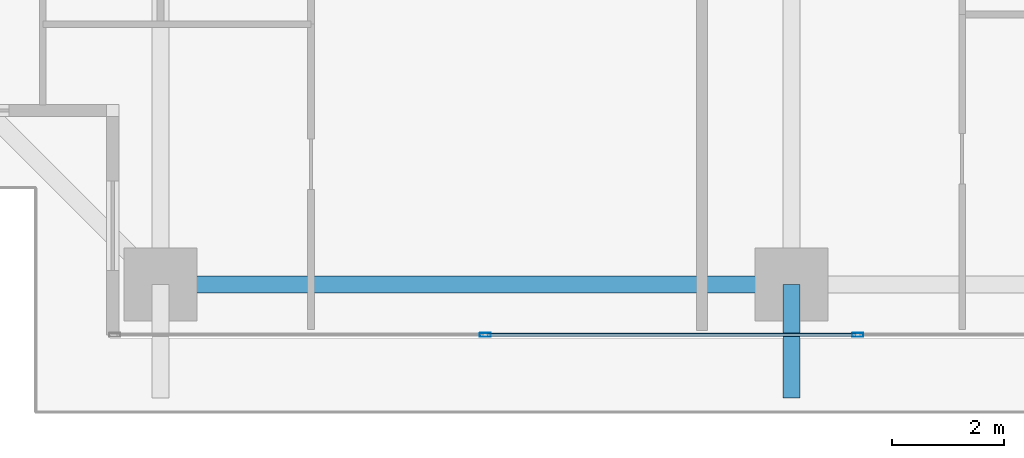
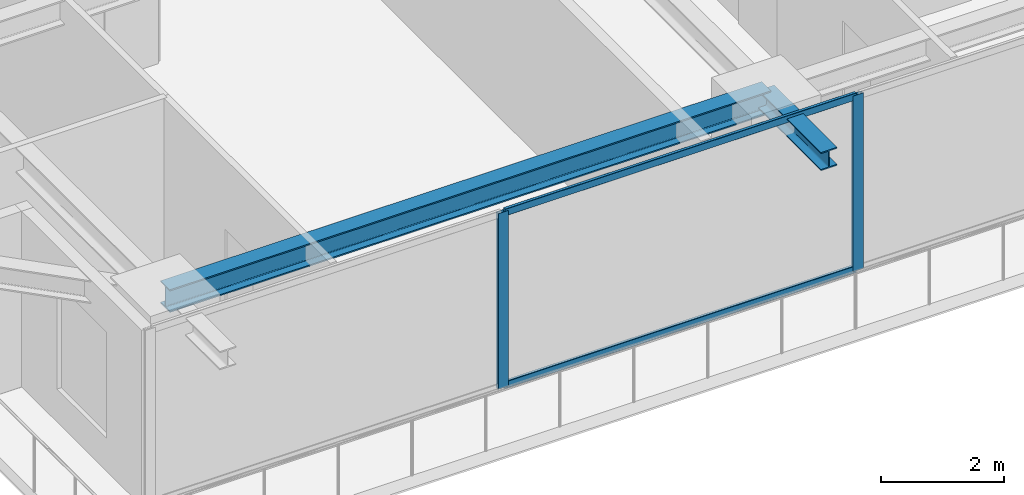
# One storey, part 5 of 39: 4 members, 2 beams, 1 element without a shape of its own.
"""IFC4 building model written with IfcOpenShell, lengths in metres."""

from ifc_helpers import new_model, si_unit, direction, frame, origin, origin_2d, place, context, subcontext, project, spatial, hollow_rectangle, i_section, extrude, source, transform, mapped, material, layer, layer_set, material_profile, profile_set, type_object, element, aggregate, save


model = new_model("IFC4")

# Units and contexts
model_context = context("Model", 3, precision=1e-05, world=origin(), true_north=direction((0.0, 1.0)))
body_context = subcontext(model_context, "Body", "Model", "MODEL_VIEW")
ifc_project = project(units=[si_unit("LENGTHUNIT", "METRE"), si_unit("AREAUNIT", "SQUARE_METRE"), si_unit("VOLUMEUNIT", "CUBIC_METRE"), si_unit("PLANEANGLEUNIT", "RADIAN"), si_unit("MASSUNIT", "GRAM", prefix="KILO")], contexts=[model_context])

# Site, building, storey
site_placement = place(None, origin())
site = spatial("IfcSite", under=ifc_project, at=site_placement, CompositionType="ELEMENT")
building_placement = place(site_placement, origin())
building = spatial("IfcBuilding", under=site, at=building_placement, Name="Serunith Strait Residences", CompositionType="ELEMENT")
storey_placement = place(building_placement, frame((0.0, 0.0, 123.89990234375)))
storey = spatial("IfcBuildingStorey", under=building, at=storey_placement, Name="L30", CompositionType="ELEMENT", Elevation=123.89990234375)

# Beams
ifc_material_1 = material(Name="Steel S355J2", Category="steel")
ifc_material_profile_1 = material_profile(ifc_material_1, i_section(OverallWidth=0.300048828125, OverallDepth=0.449951171875, WebThickness=0.013916015625, FlangeThickness=0.02587890625, FilletRadius=0.027099609375, at=origin_2d()), Name="HEB 450")
ifc_profile_set_1 = profile_set([ifc_material_profile_1], Name="Steel S355J2")
beam_type_1 = type_object("IfcBeamType", Name="BM-HEB450", PredefinedType="BEAM", material=ifc_profile_set_1)
shared_shape_1 = source(origin(), body_context, "Body", "SweptSolid", [
    extrude(i_section(OverallWidth=0.300048828125, OverallDepth=0.449951171875, WebThickness=0.013916015625, FlangeThickness=0.02587890625, FilletRadius=0.027099609375, at=origin_2d()), origin(), (0.0, 0.0, 1.0), 11.25),
])
beam_1_placement = place(storey_placement, frame((16.64990234375, 2.300048828125, 3.26220703125), z_axis=(1.0, 0.0, 0.0), x_axis=(0.0, 1.0, 0.0)))
element("IfcBeam", 1, at=beam_1_placement, inside=storey, type_object=beam_type_1, Name="L30 Perimeter Ring Beam 01", PredefinedType="BEAM", context=body_context, shape_type="MappedRepresentation", body=[
    mapped(shared_shape_1, transform((0.0, 0.0, 0.0), scale=1.0)),
])
ifc_material_profile_2 = material_profile(ifc_material_1, i_section(OverallWidth=0.300048828125, OverallDepth=0.360107421875, WebThickness=0.012451171875, FlangeThickness=0.0224609375, FilletRadius=0.027099609375, at=origin_2d()), Name="HEB 360")
ifc_profile_set_2 = profile_set([ifc_material_profile_2], Name="Steel S355J2")
beam_type_2 = type_object("IfcBeamType", Name="BM-HEB360", PredefinedType="BEAM", material=ifc_profile_set_2)
shared_shape_2 = source(origin(), body_context, "Body", "SweptSolid", [
    extrude(i_section(OverallWidth=0.300048828125, OverallDepth=0.360107421875, WebThickness=0.012451171875, FlangeThickness=0.0224609375, FilletRadius=0.027099609375, at=origin_2d()), origin(), (0.0, 0.0, 1.0), 2.030029296875),
])
beam_2_placement = place(storey_placement, frame((27.89990234375, 2.300048828125, 3.277099609375), z_axis=(0.0, -1.0, 0.0), x_axis=(1.0, 0.0, 0.0)))
element("IfcBeam", 2, at=beam_2_placement, inside=storey, type_object=beam_type_2, Name="L31 Cantilevered Balcony Rib TC-S2", PredefinedType="BEAM", context=body_context, shape_type="MappedRepresentation", body=[
    mapped(shared_shape_2, transform((0.0, 0.0, 0.0), scale=1.0)),
])

# Curtain wall, members
ifc_material_2 = material(Name="Pale-Champagne Anodised Aluminium", Category="aluminium")
ifc_layer = layer(ifc_material_2, 0.199951171875, Name="Pale-Champagne Anodised Aluminium")
ifc_layer_set = layer_set([ifc_layer], Name="Pale-Champagne Anodised Aluminium")
curtain_wall_type = type_object("IfcCurtainWallType", Name="CW-SYS2", PredefinedType="NOTDEFINED", material=ifc_layer_set)
curtain_wall_placement = place(storey_placement, origin())
curtain_wall = element("IfcCurtainWall", 3, at=curtain_wall_placement, inside=storey, type_object=curtain_wall_type, Name="L30 S Unitised Fritted Curtain Wall", PredefinedType="NOTDEFINED")
ifc_material_profile_3 = material_profile(ifc_material_2, hollow_rectangle(XDim=0.070068359375, YDim=0.199951171875, WallThickness=0.00390625, InnerFilletRadius=0.006103515625, OuterFilletRadius=0.010009765625, at=origin_2d()), Name="ALU 200x70x4")
ifc_profile_set_3 = profile_set([ifc_material_profile_3], Name="Pale-Champagne Anodised Aluminium")
member_type_1 = type_object("IfcMemberType", Name="CW-SYS2-MULL", PredefinedType="MULLION", material=ifc_profile_set_3)
shared_shape_3 = source(origin(), body_context, "Body", "SweptSolid", [
    extrude(hollow_rectangle(XDim=0.070068359375, YDim=0.199951171875, WallThickness=0.00390625, InnerFilletRadius=0.006103515625, OuterFilletRadius=0.010009765625, at=origin_2d()), origin(), (0.0, 0.0, 1.0), 3.47509765625),
])
member_1_placement = place(storey_placement, frame((22.43994140625, 1.39990234375, 0.0), z_axis=(0.0, 0.0, 1.0), x_axis=(0.0, 1.0, 0.0)))
member_1 = element("IfcMember", 4, at=member_1_placement, type_object=member_type_1, Name="CW-2 mullion 2", PredefinedType="MULLION", context=body_context, shape_type="MappedRepresentation", body=[
    mapped(shared_shape_3, transform((0.0, 0.0, 0.0), scale=1.0)),
])
member_2_placement = place(storey_placement, frame((29.080078125, 1.39990234375, 0.0), z_axis=(0.0, 0.0, 1.0), x_axis=(0.0, 1.0, 0.0)))
member_2 = element("IfcMember", 5, at=member_2_placement, type_object=member_type_1, Name="CW-2 mullion 3", PredefinedType="MULLION", context=body_context, shape_type="MappedRepresentation", body=[
    mapped(shared_shape_3, transform((0.0, 0.0, 0.0), scale=1.0)),
])
ifc_material_profile_4 = material_profile(ifc_material_2, hollow_rectangle(XDim=0.06005859375, YDim=0.139892578125, WallThickness=0.00341796875, InnerFilletRadius=0.00537109375, OuterFilletRadius=0.0087890625, at=origin_2d()), Name="ALU 140x60x3.5")
ifc_profile_set_4 = profile_set([ifc_material_profile_4], Name="Pale-Champagne Anodised Aluminium")
member_type_2 = type_object("IfcMemberType", Name="CW-SYS2-TRAN", PredefinedType="USERDEFINED", material=ifc_profile_set_4)
shared_shape_4 = source(origin(), body_context, "Body", "SweptSolid", [
    extrude(hollow_rectangle(XDim=0.06005859375, YDim=0.139892578125, WallThickness=0.00341796875, InnerFilletRadius=0.00537109375, OuterFilletRadius=0.0087890625, at=origin_2d()), origin(), (0.0, 0.0, 1.0), 6.56982421875),
])
member_3_placement = place(storey_placement, frame((22.47509765625, 1.39990234375, 0.030029296875), z_axis=(1.0, 0.0, 0.0), x_axis=(0.0, 1.0, 0.0)))
member_3 = element("IfcMember", 6, at=member_3_placement, type_object=member_type_2, Name="CW-2 transom 2.1", ObjectType="TRANSOM", PredefinedType="USERDEFINED", context=body_context, shape_type="MappedRepresentation", body=[
    mapped(shared_shape_4, transform((0.0, 0.0, 0.0), scale=1.0)),
])
member_4_placement = place(storey_placement, frame((22.47509765625, 1.39990234375, 3.445068359375), z_axis=(1.0, 0.0, 0.0), x_axis=(0.0, 1.0, 0.0)))
member_4 = element("IfcMember", 7, at=member_4_placement, type_object=member_type_2, Name="CW-2 transom 2.2", ObjectType="TRANSOM", PredefinedType="USERDEFINED", context=body_context, shape_type="MappedRepresentation", body=[
    mapped(shared_shape_4, transform((0.0, 0.0, 0.0), scale=1.0)),
])
aggregate(curtain_wall, [member_1, member_2, member_3, member_4])

save(model, "model.ifc")
